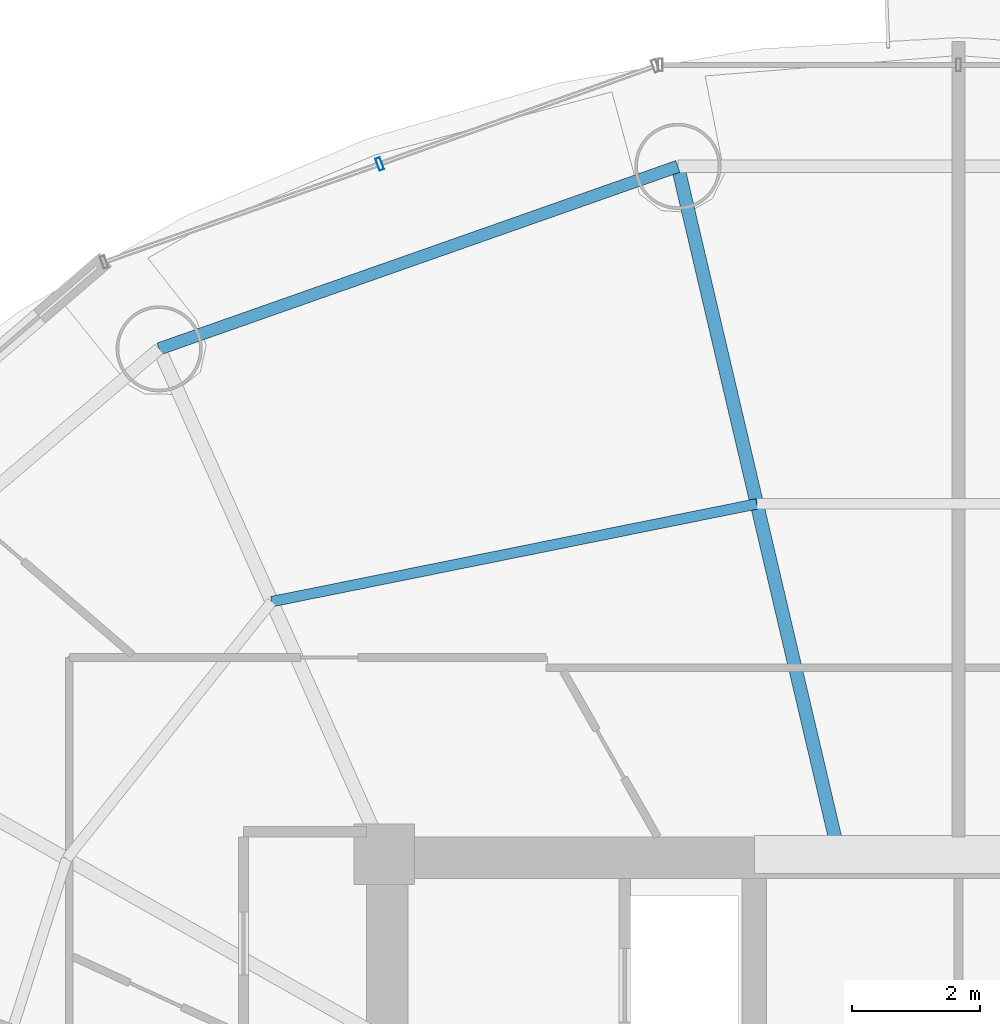
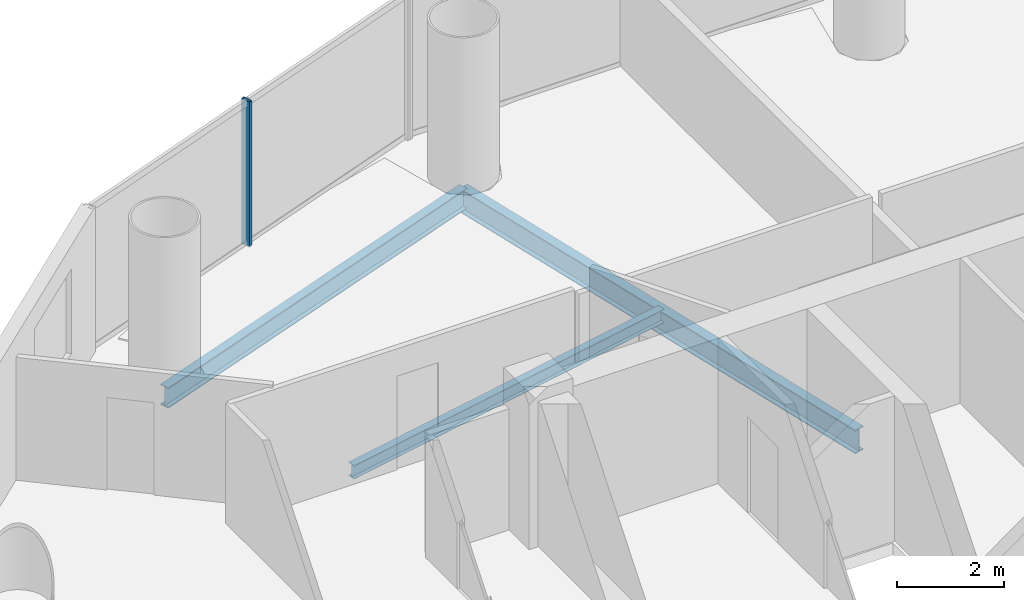
# One storey, part 14 of 26: 3 beams, 1 member, 1 element without a shape of its own.
"""IFC4 building model written with IfcOpenShell, lengths in metres."""

from ifc_helpers import new_model, si_unit, direction, frame, origin, origin_2d, place, context, subcontext, project, spatial, hollow_rectangle, i_section, extrude, source, transform, mapped, material, material_profile, profile_set, type_object, element, aggregate, save


model = new_model("IFC4")

# Units and contexts
model_context = context("Model", 3, precision=1e-05, world=origin(), true_north=direction((-0.2419218956, 0.970295726276)))
body_context = subcontext(model_context, "Body", "Model", "MODEL_VIEW")
ifc_project = project(units=[si_unit("LENGTHUNIT", "METRE"), si_unit("AREAUNIT", "SQUARE_METRE"), si_unit("VOLUMEUNIT", "CUBIC_METRE"), si_unit("PLANEANGLEUNIT", "RADIAN"), si_unit("MASSUNIT", "GRAM", prefix="KILO")], contexts=[model_context])

# Site, building, storey
site_placement = place(None, origin())
site = spatial("IfcSite", under=ifc_project, at=site_placement, CompositionType="ELEMENT")
building_placement = place(site_placement, origin())
building = spatial("IfcBuilding", under=site, at=building_placement, Name="Cobrevalo Terracotta Tower", CompositionType="ELEMENT")
storey_placement = place(building_placement, frame((0.0, 0.0, 175.0)))
storey = spatial("IfcBuildingStorey", under=building, at=storey_placement, Name="L46", CompositionType="ELEMENT", Elevation=175.0)

# Beams
ifc_material_1 = material(Name="Steel S355", Category="steel")
ifc_material_profile_1 = material_profile(ifc_material_1, i_section(OverallWidth=0.2109375, OverallDepth=0.5390625, WebThickness=0.01171875, FlangeThickness=0.018798828125, at=origin_2d()), Name="W 530x109")
ifc_profile_set_1 = profile_set([ifc_material_profile_1], Name="Steel S355")
beam_type_1 = type_object("IfcBeamType", Name="Structural Beam W 530x109 (Steel S355)", PredefinedType="BEAM", material=ifc_profile_set_1)
beam_1_placement = place(storey_placement, frame((33.600830078125, 45.58203125, -0.53955078125), z_axis=(0.228040864186, -0.973651562039, 0.0), x_axis=(0.973651562039, 0.228040864186, 0.0)))
element("IfcBeam", 1, at=beam_1_placement, inside=storey, type_object=beam_type_1, Name="L46 radial floor girder 05", PredefinedType="BEAM", context=body_context, shape_type="SweptSolid", body=[
    extrude(i_section(OverallWidth=0.2109375, OverallDepth=0.5390625, WebThickness=0.01171875, FlangeThickness=0.018798828125, at=origin_2d()), origin(), (0.0, 0.0, 1.0), 10.86328125),
])
ifc_material_profile_2 = material_profile(ifc_material_1, i_section(OverallWidth=0.1650390625, OverallDepth=0.31005859375, WebThickness=0.005859375, FlangeThickness=0.009765625, at=origin_2d()), Name="W 310x38.7")
ifc_profile_set_2 = profile_set([ifc_material_profile_2], Name="Steel S355")
beam_type_2 = type_object("IfcBeamType", Name="Structural Joist W 310x38.7 (Steel S355)", PredefinedType="JOIST", material=ifc_profile_set_2)
beam_2_placement = place(storey_placement, frame((34.83935546875, 40.29345703125, -0.425048828125), z_axis=(-0.980293928329, -0.197544461026, 0.0), x_axis=(0.197544461026, -0.980293928329, 0.0)))
element("IfcBeam", 2, at=beam_2_placement, inside=storey, type_object=beam_type_2, Name="L46 circumferential secondary floor joist 05", PredefinedType="JOIST", context=body_context, shape_type="SweptSolid", body=[
    extrude(i_section(OverallWidth=0.1650390625, OverallDepth=0.31005859375, WebThickness=0.005859375, FlangeThickness=0.009765625, at=origin_2d()), origin(), (0.0, 0.0, 1.0), 7.75634765625),
])
ifc_material_profile_3 = material_profile(ifc_material_1, i_section(OverallWidth=0.194091796875, OverallDepth=0.468994140625, WebThickness=0.011474609375, FlangeThickness=0.0205078125, at=origin_2d()), Name="W 460x106")
ifc_profile_set_3 = profile_set([ifc_material_profile_3], Name="Steel S355")
beam_type_3 = type_object("IfcBeamType", Name="Structural Spandrel W 460x106 (Steel S355)", PredefinedType="SPANDREL", material=ifc_profile_set_3)
beam_3_placement = place(storey_placement, frame((33.600830078125, 45.58203125, -0.50439453125), z_axis=(-0.943341298492, -0.331824041565, 0.0), x_axis=(0.331824041565, -0.943341298492, 0.0)))
element("IfcBeam", 3, at=beam_3_placement, inside=storey, type_object=beam_type_3, Name="L46 perimeter ring spandrel 05", PredefinedType="SPANDREL", context=body_context, shape_type="SweptSolid", body=[
    extrude(i_section(OverallWidth=0.194091796875, OverallDepth=0.468994140625, WebThickness=0.011474609375, FlangeThickness=0.0205078125, at=origin_2d()), origin(), (0.0, 0.0, 1.0), 8.6171875),
])

# Curtain wall, member
ifc_material_2 = material(Name="Anodized aluminium", Category="aluminium")
curtain_wall_type = type_object("IfcCurtainWallType", Name="Mid-tower high-wind unitised curtain wall CW-U2", PredefinedType="NOTDEFINED", material=ifc_material_2)
curtain_wall_placement = place(storey_placement, origin())
curtain_wall = element("IfcCurtainWall", 4, at=curtain_wall_placement, inside=storey, type_object=curtain_wall_type, Name="L46 curtain wall CW-L46-S05", PredefinedType="NOTDEFINED")
ifc_material_profile_4 = material_profile(ifc_material_2, hollow_rectangle(XDim=0.074951171875, YDim=0.199951171875, WallThickness=0.0048828125, at=origin_2d()), Name="CWM 75x200")
ifc_profile_set_4 = profile_set([ifc_material_profile_4], Name="Anodized aluminium")
member_type = type_object("IfcMemberType", Name="Lower/mid tower unitised mullion 75x200", PredefinedType="MULLION", material=ifc_profile_set_4)
shared_shape = source(origin(), body_context, "Body", "SweptSolid", [
    extrude(hollow_rectangle(XDim=0.074951171875, YDim=0.199951171875, WallThickness=0.0048828125, at=origin_2d()), origin(), (0.0, 0.0, 1.0), 3.330078125),
])
member_placement = place(storey_placement, frame((28.92822265625, 45.620361328125, 0.0), z_axis=(0.0, 0.0, 1.0), x_axis=(-0.942098428897, -0.335336473217, 0.0)))
member = element("IfcMember", 5, at=member_placement, type_object=member_type, Name="CW-L46-S05 vertical mullion 02", PredefinedType="MULLION", context=body_context, shape_type="MappedRepresentation", body=[
    mapped(shared_shape, transform((0.0, 0.0, 0.0), scale=1.0)),
])
aggregate(curtain_wall, [member])

save(model, "model.ifc")
